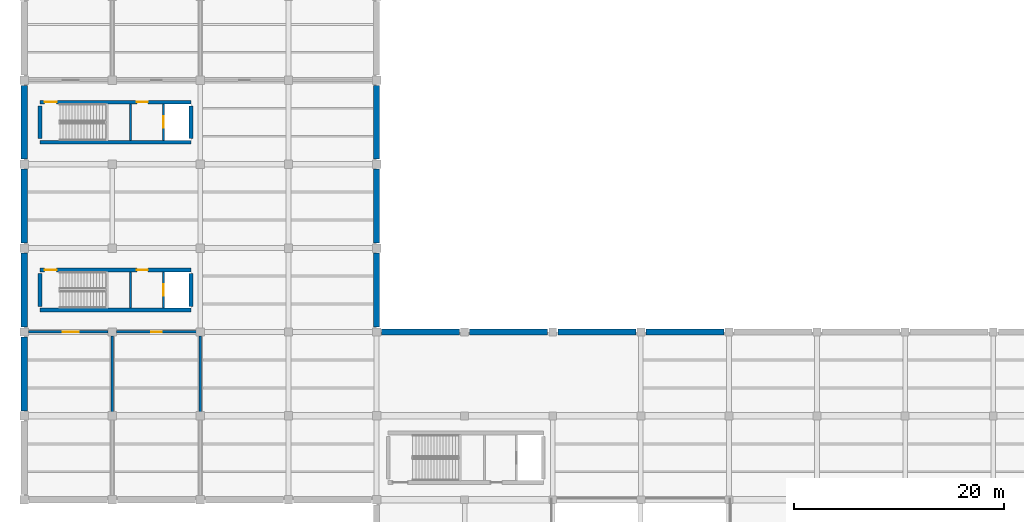
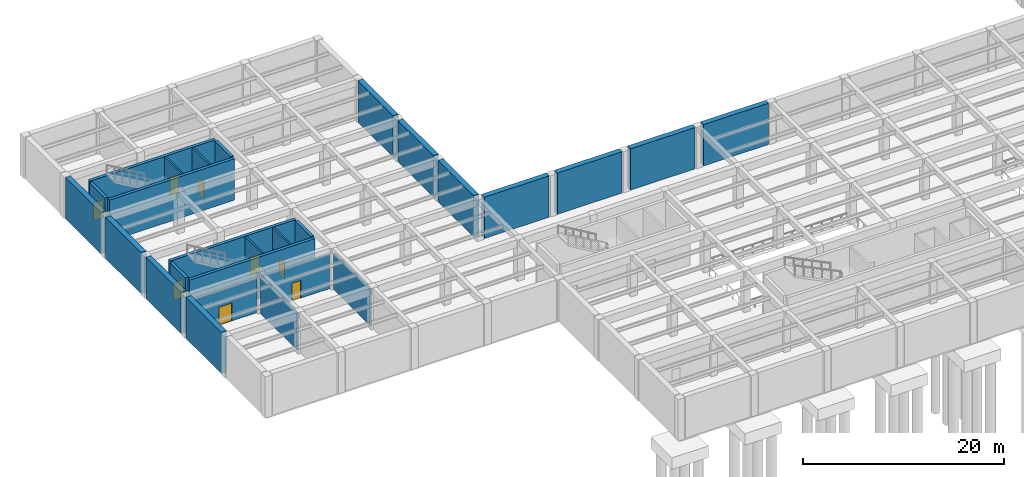
# One storey, part 6 of 16: 27 walls, 8 doors, 8 openings.
"""IFC4 building model written with IfcOpenShell, lengths in metres."""

from ifc_helpers import new_model, si_unit, direction, frame, frame_2d, origin, place, context, subcontext, project, spatial, rectangle, extrude, material, layer, layer_set, type_object, element, fill, save


model = new_model("IFC4")

# Units and contexts
model_context = context("Model", 3, precision=1e-05, world=origin(), true_north=direction((0.0, 1.0)))
body_context = subcontext(model_context, "Body", "Model", "MODEL_VIEW")
ifc_project = project(units=[si_unit("LENGTHUNIT", "METRE"), si_unit("AREAUNIT", "SQUARE_METRE"), si_unit("VOLUMEUNIT", "CUBIC_METRE"), si_unit("PLANEANGLEUNIT", "RADIAN"), si_unit("MASSUNIT", "GRAM", prefix="KILO")], contexts=[model_context])

# Site, building, storey
site_placement = place(None, origin())
site = spatial("IfcSite", under=ifc_project, at=site_placement, CompositionType="ELEMENT")
building_placement = place(site_placement, origin())
building = spatial("IfcBuilding", under=site, at=building_placement, Name="Kranzveld Transit Interchange", CompositionType="ELEMENT")
storey_placement = place(building_placement, frame((0.0, 0.0, -5.43994140625)))
storey = spatial("IfcBuildingStorey", under=building, at=storey_placement, Name="B1", CompositionType="ELEMENT", Elevation=-5.43994140625)

# Wall
ifc_material_1 = material(Name="Concrete C40/50", Category="concrete")
ifc_layer_1 = layer(ifc_material_1, 0.35009765625)
ifc_layer_set_1 = layer_set([ifc_layer_1], Name="Concrete C40/50")
wall_type_1 = type_object("IfcWallType", Name="Core Shear Wall RC 350 C40/50", PredefinedType="SHEAR", material=ifc_layer_set_1)
wall_1_placement = place(storey_placement, frame((1.5, 66.090087890625, 0.0), z_axis=(0.0, 0.0, 1.0), x_axis=(1.0, 0.0, 0.0)))
element("IfcWall", 1, at=wall_1_placement, inside=storey, type_object=wall_type_1, Name="B1 Operations Core C1 Shear Wall S", PredefinedType="SHEAR", context=body_context, shape_type="SweptSolid", body=[
    extrude(rectangle(XDim=14.39990234375, YDim=0.35009765625, at=frame_2d((7.199951171875, 0.0))), origin(), (0.0, 0.0, 1.0), 5.02001953125),
])

# Wall, openings, doors
wall_2_placement = place(storey_placement, frame((1.5, 69.909912109375, 0.0), z_axis=(0.0, 0.0, 1.0), x_axis=(1.0, 0.0, 0.0)))
wall_2 = element("IfcWall", 2, at=wall_2_placement, inside=storey, type_object=wall_type_1, Name="B1 Operations Core C1 Shear Wall N", PredefinedType="SHEAR", context=body_context, shape_type="SweptSolid", body=[
    extrude(rectangle(XDim=14.39990234375, YDim=0.35009765625, at=frame_2d((7.199951171875, 0.0))), origin(), (0.0, 0.0, 1.0), 5.02001953125),
])
opening_1_placement = place(wall_2_placement, frame((0.449951171875, 0.0, 0.0), z_axis=(0.0, 0.0, 1.0), x_axis=(1.0, 0.0, 0.0)))
opening_1 = element("IfcOpeningElement", 3, at=opening_1_placement, cuts=wall_2, Name="Opening D-ST-C1-B1", PredefinedType="OPENING", context=body_context, shape_type="SweptSolid", body=[
    extrude(rectangle(XDim=1.14990234375, YDim=2.14990234375, at=frame_2d((0.574951171875, 1.074951171875))), frame((0.0, 0.18505859375, 0.0), z_axis=(0.0, -1.0, 0.0), x_axis=(1.0, 0.0, 0.0)), (0.0, 0.0, 1.0), 0.3701171875),
])
opening_2_placement = place(wall_2_placement, frame((9.25, 0.0, 0.0), z_axis=(0.0, 0.0, 1.0), x_axis=(1.0, 0.0, 0.0)))
opening_2 = element("IfcOpeningElement", 4, at=opening_2_placement, cuts=wall_2, Name="Opening D-LB-C1-B1", PredefinedType="OPENING", context=body_context, shape_type="SweptSolid", body=[
    extrude(rectangle(XDim=1.050048828125, YDim=2.14990234375, at=frame_2d((0.52490234375, 1.074951171875))), frame((0.0, 0.18505859375, 0.0), z_axis=(0.0, -1.0, 0.0), x_axis=(1.0, 0.0, 0.0)), (0.0, 0.0, 1.0), 0.3701171875),
])
ifc_material_2 = material(Name="Steel S355JR", Category="steel")
door_type_1 = type_object("IfcDoorType", Name="Lift Lobby Fire Door 1050x2150 FD120S", OperationType="NOTDEFINED", PredefinedType="DOOR", material=ifc_material_2)
door_1_placement = place(opening_2_placement, origin())
door_1 = element("IfcDoor", 5, at=door_1_placement, inside=storey, type_object=door_type_1, Name="B1 Operations Core C1 Lift Protected Lobby Door", OperationType="SINGLE_SWING_RIGHT", OverallHeight=2.14990234375, OverallWidth=1.050048828125, PredefinedType="DOOR", context=body_context, shape_type="SweptSolid", body=[
    extrude(rectangle(XDim=1.050048828125, YDim=2.14990234375, at=frame_2d((0.52490234375, 1.074951171875))), frame((0.0, 0.02490234375, 0.0), z_axis=(0.0, -1.0, 0.0), x_axis=(1.0, 0.0, 0.0)), (0.0, 0.0, 1.0), 0.050048828125),
])
fill(opening_2, door_1)
ifc_material_3 = material(Name="Steel S355JR", Category="steel")
door_type_2 = type_object("IfcDoorType", Name="Stair Core Fire Door 1150x2150 FD120S", OperationType="NOTDEFINED", PredefinedType="DOOR", material=ifc_material_3)
door_2_placement = place(opening_1_placement, origin())
door_2 = element("IfcDoor", 6, at=door_2_placement, inside=storey, type_object=door_type_2, Name="B1 ST-C1 Protected Stair Door", OperationType="SINGLE_SWING_RIGHT", OverallHeight=2.14990234375, OverallWidth=1.14990234375, PredefinedType="DOOR", context=body_context, shape_type="SweptSolid", body=[
    extrude(rectangle(XDim=1.14990234375, YDim=2.14990234375, at=frame_2d((0.574951171875, 1.074951171875))), frame((0.0, 0.02490234375, 0.0), z_axis=(0.0, -1.0, 0.0), x_axis=(1.0, 0.0, 0.0)), (0.0, 0.0, 1.0), 0.050048828125),
])
fill(opening_1, door_2)

# Walls
for number, where, z_axis, x_axis, name in (
    (7, (1.5, 66.43994140625, 0.0), (0.0, 0.0, 1.0), (0.0, 1.0, 0.0), "B1 Operations Core C1 Shear Wall W"),
    (8, (15.89990234375, 66.43994140625, 0.0), (0.0, 0.0, 1.0), (0.0, 1.0, 0.0), "B1 Operations Core C1 Shear Wall E"),
):
    element("IfcWall", number, at=place(storey_placement, frame(where, z_axis=z_axis, x_axis=x_axis)), inside=storey, type_object=wall_type_1, Name=name, PredefinedType="SHEAR", context=body_context, shape_type="SweptSolid", body=[
        extrude(rectangle(XDim=3.1201171875, YDim=0.35009765625, at=frame_2d((1.56005859375, 0.0))), origin(), (0.0, 0.0, 1.0), 5.02001953125),
    ])
wall_3_placement = place(storey_placement, frame((1.5, 82.090087890625, 0.0), z_axis=(0.0, 0.0, 1.0), x_axis=(1.0, 0.0, 0.0)))
element("IfcWall", 9, at=wall_3_placement, inside=storey, type_object=wall_type_1, Name="B1 Operations Core C2 Shear Wall S", PredefinedType="SHEAR", context=body_context, shape_type="SweptSolid", body=[
    extrude(rectangle(XDim=14.39990234375, YDim=0.35009765625, at=frame_2d((7.199951171875, 0.0))), origin(), (0.0, 0.0, 1.0), 5.02001953125),
])

# Wall, openings, doors
wall_4_placement = place(storey_placement, frame((1.5, 85.909912109375, 0.0), z_axis=(0.0, 0.0, 1.0), x_axis=(1.0, 0.0, 0.0)))
wall_4 = element("IfcWall", 10, at=wall_4_placement, inside=storey, type_object=wall_type_1, Name="B1 Operations Core C2 Shear Wall N", PredefinedType="SHEAR", context=body_context, shape_type="SweptSolid", body=[
    extrude(rectangle(XDim=14.39990234375, YDim=0.35009765625, at=frame_2d((7.199951171875, 0.0))), origin(), (0.0, 0.0, 1.0), 5.02001953125),
])
opening_3_placement = place(wall_4_placement, frame((0.449951171875, 0.0, 0.0), z_axis=(0.0, 0.0, 1.0), x_axis=(1.0, 0.0, 0.0)))
opening_3 = element("IfcOpeningElement", 11, at=opening_3_placement, cuts=wall_4, Name="Opening D-ST-C2-B1", PredefinedType="OPENING", context=body_context, shape_type="SweptSolid", body=[
    extrude(rectangle(XDim=1.14990234375, YDim=2.14990234375, at=frame_2d((0.574951171875, 1.074951171875))), frame((0.0, 0.18505859375, 0.0), z_axis=(0.0, -1.0, 0.0), x_axis=(1.0, 0.0, 0.0)), (0.0, 0.0, 1.0), 0.3701171875),
])
opening_4_placement = place(wall_4_placement, frame((9.25, 0.0, 0.0), z_axis=(0.0, 0.0, 1.0), x_axis=(1.0, 0.0, 0.0)))
opening_4 = element("IfcOpeningElement", 12, at=opening_4_placement, cuts=wall_4, Name="Opening D-LB-C2-B1", PredefinedType="OPENING", context=body_context, shape_type="SweptSolid", body=[
    extrude(rectangle(XDim=1.050048828125, YDim=2.14990234375, at=frame_2d((0.52490234375, 1.074951171875))), frame((0.0, 0.18505859375, 0.0), z_axis=(0.0, -1.0, 0.0), x_axis=(1.0, 0.0, 0.0)), (0.0, 0.0, 1.0), 0.3701171875),
])
door_3_placement = place(opening_4_placement, origin())
door_3 = element("IfcDoor", 13, at=door_3_placement, inside=storey, type_object=door_type_1, Name="B1 Operations Core C2 Lift Protected Lobby Door", OperationType="SINGLE_SWING_RIGHT", OverallHeight=2.14990234375, OverallWidth=1.050048828125, PredefinedType="DOOR", context=body_context, shape_type="SweptSolid", body=[
    extrude(rectangle(XDim=1.050048828125, YDim=2.14990234375, at=frame_2d((0.52490234375, 1.074951171875))), frame((0.0, 0.02490234375, 0.0), z_axis=(0.0, -1.0, 0.0), x_axis=(1.0, 0.0, 0.0)), (0.0, 0.0, 1.0), 0.050048828125),
])
fill(opening_4, door_3)
door_4_placement = place(opening_3_placement, origin())
door_4 = element("IfcDoor", 14, at=door_4_placement, inside=storey, type_object=door_type_2, Name="B1 ST-C2 Protected Stair Door", OperationType="SINGLE_SWING_RIGHT", OverallHeight=2.14990234375, OverallWidth=1.14990234375, PredefinedType="DOOR", context=body_context, shape_type="SweptSolid", body=[
    extrude(rectangle(XDim=1.14990234375, YDim=2.14990234375, at=frame_2d((0.574951171875, 1.074951171875))), frame((0.0, 0.02490234375, 0.0), z_axis=(0.0, -1.0, 0.0), x_axis=(1.0, 0.0, 0.0)), (0.0, 0.0, 1.0), 0.050048828125),
])
fill(opening_3, door_4)

# Walls
for number, where, z_axis, x_axis, name in (
    (15, (1.5, 82.43994140625, 0.0), (0.0, 0.0, 1.0), (0.0, 1.0, 0.0), "B1 Operations Core C2 Shear Wall W"),
    (16, (15.89990234375, 82.43994140625, 0.0), (0.0, 0.0, 1.0), (0.0, 1.0, 0.0), "B1 Operations Core C2 Shear Wall E"),
):
    element("IfcWall", number, at=place(storey_placement, frame(where, z_axis=z_axis, x_axis=x_axis)), inside=storey, type_object=wall_type_1, Name=name, PredefinedType="SHEAR", context=body_context, shape_type="SweptSolid", body=[
        extrude(rectangle(XDim=3.1201171875, YDim=0.35009765625, at=frame_2d((1.56005859375, 0.0))), origin(), (0.0, 0.0, 1.0), 5.02001953125),
    ])

# Wall, opening, door
ifc_material_4 = material(Name="Clay masonry unit wall, 20 MPa", Category="masonry")
ifc_layer_2 = layer(ifc_material_4, 0.22998046875)
ifc_layer_set_2 = layer_set([ifc_layer_2], Name="Clay masonry unit wall, 20 MPa")
wall_type_2 = type_object("IfcWallType", Name="Fire Compartment Wall Masonry 230 EI120", PredefinedType="PARTITIONING", material=ifc_layer_set_2)
wall_5_placement = place(storey_placement, frame((0.389892578125, 64.0, 0.0), z_axis=(0.0, 0.0, 1.0), x_axis=(1.0, 0.0, 0.0)))
wall_5 = element("IfcWall", 17, at=wall_5_placement, inside=storey, type_object=wall_type_2, Name="B1 Partition IW-B1-B1W1-FRT-B111-0", PredefinedType="PARTITIONING", context=body_context, shape_type="SweptSolid", body=[
    extrude(rectangle(XDim=7.6201171875, YDim=0.22998046875, at=frame_2d((3.81005859375, 0.0))), origin(), (0.0, 0.0, 1.0), 4.169921875),
])
opening_5_placement = place(wall_5_placement, frame((4.81005859375, 0.0, 0.0), z_axis=(0.0, 0.0, 1.0), x_axis=(-1.0, 0.0, 0.0)))
opening_5 = element("IfcOpeningElement", 18, at=opening_5_placement, cuts=wall_5, Name="Opening D-B111", PredefinedType="OPENING", context=body_context, shape_type="SweptSolid", body=[
    extrude(rectangle(XDim=1.5, YDim=2.199951171875, at=frame_2d((0.75, 1.10009765625))), frame((0.0, 0.125, 0.0), z_axis=(0.0, -1.0, 0.0), x_axis=(1.0, 0.0, 0.0)), (0.0, 0.0, 1.0), 0.25),
])
ifc_material_5 = material(Name="Steel S355JR", Category="steel")
door_type_3 = type_object("IfcDoorType", Name="Substation Double Fire Door 1500x2200 FD120S", OperationType="NOTDEFINED", PredefinedType="DOOR", material=ifc_material_5)
door_5_placement = place(opening_5_placement, origin())
door_5 = element("IfcDoor", 19, at=door_5_placement, inside=storey, type_object=door_type_3, Name="B1 Interior Door D-B111", OperationType="SINGLE_SWING_LEFT", OverallHeight=2.199951171875, OverallWidth=1.5, PredefinedType="DOOR", context=body_context, shape_type="SweptSolid", body=[
    extrude(rectangle(XDim=1.5, YDim=2.199951171875, at=frame_2d((0.75, 1.10009765625))), frame((0.0, 0.02490234375, 0.0), z_axis=(0.0, -1.0, 0.0), x_axis=(1.0, 0.0, 0.0)), (0.0, 0.0, 1.0), 0.050048828125),
])
fill(opening_5, door_5)

wall_6_placement = place(storey_placement, frame((8.7900390625, 64.0, 0.0), z_axis=(0.0, 0.0, 1.0), x_axis=(1.0, 0.0, 0.0)))
wall_6 = element("IfcWall", 20, at=wall_6_placement, inside=storey, type_object=wall_type_2, Name="B1 Partition IW-B1-B1W1-FRT-B112-0", PredefinedType="PARTITIONING", context=body_context, shape_type="SweptSolid", body=[
    extrude(rectangle(XDim=7.619873046875, YDim=0.22998046875, at=frame_2d((3.81005859375, 0.0))), origin(), (0.0, 0.0, 1.0), 4.169921875),
])
opening_6_placement = place(wall_6_placement, frame((4.31005859375, 0.0, 0.0), z_axis=(0.0, 0.0, 1.0), x_axis=(-1.0, 0.0, 0.0)))
opening_6 = element("IfcOpeningElement", 21, at=opening_6_placement, cuts=wall_6, Name="Opening D-B112", PredefinedType="OPENING", context=body_context, shape_type="SweptSolid", body=[
    extrude(rectangle(XDim=1.0, YDim=2.14990234375, at=frame_2d((0.5, 1.074951171875))), frame((0.0, 0.125, 0.0), z_axis=(0.0, -1.0, 0.0), x_axis=(1.0, 0.0, 0.0)), (0.0, 0.0, 1.0), 0.25),
])
ifc_material_6 = material(Name="Steel S355JR", Category="steel")
door_type_4 = type_object("IfcDoorType", Name="Fire Door Single 1000x2150 FD120S", OperationType="NOTDEFINED", PredefinedType="DOOR", material=ifc_material_6)
door_6_placement = place(opening_6_placement, origin())
door_6 = element("IfcDoor", 22, at=door_6_placement, inside=storey, type_object=door_type_4, Name="B1 Interior Door D-B112", OperationType="SINGLE_SWING_RIGHT", OverallHeight=2.14990234375, OverallWidth=1.0, PredefinedType="DOOR", context=body_context, shape_type="SweptSolid", body=[
    extrude(rectangle(XDim=1.0, YDim=2.14990234375, at=frame_2d((0.5, 1.074951171875))), frame((0.0, 0.02490234375, 0.0), z_axis=(0.0, -1.0, 0.0), x_axis=(1.0, 0.0, 0.0)), (0.0, 0.0, 1.0), 0.050048828125),
])
fill(opening_6, door_6)

# Walls
for number, where, z_axis, x_axis, name in (
    (23, (8.39990234375, 56.389892578125, 0.0), (0.0, 0.0, 1.0), (0.0, 1.0, 0.0), "B1 Partition IW-B1-B1W1-E-B111-1"),
    (24, (16.800048828125, 56.389892578125, 0.0), (0.0, 0.0, 1.0), (0.0, 1.0, 0.0), "B1 Partition IW-B1-B1W1-E-B112-1"),
):
    element("IfcWall", number, at=place(storey_placement, frame(where, z_axis=z_axis, x_axis=x_axis)), inside=storey, type_object=wall_type_2, Name=name, PredefinedType="PARTITIONING", context=body_context, shape_type="SweptSolid", body=[
        extrude(rectangle(XDim=7.22021484375, YDim=0.22998046875, at=frame_2d((3.610107421875, 0.0))), origin(), (0.0, 0.0, 1.0), 4.369873046875),
    ])
ifc_material_7 = material(Name="Concrete C40/50", Category="concrete")
ifc_layer_3 = layer(ifc_material_7, 0.199951171875)
ifc_layer_set_3 = layer_set([ifc_layer_3], Name="Concrete C40/50")
wall_type_3 = type_object("IfcWallType", Name="Lift Shaft Enclosure Wall RC 200 EI120", PredefinedType="SHEAR", material=ifc_layer_set_3)
wall_7_placement = place(storey_placement, frame((10.14990234375, 66.264892578125, 0.0), z_axis=(0.0, 0.0, 1.0), x_axis=(0.0, 1.0, 0.0)))
element("IfcWall", 25, at=wall_7_placement, inside=storey, type_object=wall_type_3, Name="B1 Operations Core C1 Stair-Lobby Dividing Wall", PredefinedType="SHEAR", context=body_context, shape_type="SweptSolid", body=[
    extrude(rectangle(XDim=3.47021484375, YDim=0.199951171875, at=frame_2d((1.735107421875, 0.0))), origin(), (0.0, 0.0, 1.0), 5.02001953125),
])

# Wall, opening, door
wall_8_placement = place(storey_placement, frame((13.300048828125, 66.264892578125, 0.0), z_axis=(0.0, 0.0, 1.0), x_axis=(0.0, 1.0, 0.0)))
wall_8 = element("IfcWall", 26, at=wall_8_placement, inside=storey, type_object=wall_type_3, Name="B1 LF-C1 Shaft Front Wall", PredefinedType="SHEAR", context=body_context, shape_type="SweptSolid", body=[
    extrude(rectangle(XDim=3.47021484375, YDim=0.199951171875, at=frame_2d((1.735107421875, 0.0))), origin(), (0.0, 0.0, 1.0), 5.02001953125),
])
opening_7_placement = place(wall_8_placement, frame((1.18505859375, 0.0, 0.0), z_axis=(0.0, 0.0, 1.0), x_axis=(1.0, 0.0, 0.0)))
opening_7 = element("IfcOpeningElement", 27, at=opening_7_placement, cuts=wall_8, Name="Opening LD-LF-C1-B1", PredefinedType="OPENING", context=body_context, shape_type="SweptSolid", body=[
    extrude(rectangle(XDim=1.10009765625, YDim=2.14990234375, at=frame_2d((0.550048828125, 1.074951171875))), frame((0.0, 0.10986328125, 0.0), z_axis=(0.0, -1.0, 0.0), x_axis=(1.0, 0.0, 0.0)), (0.0, 0.0, 1.0), 0.219970703125),
])
ifc_material_8 = material(Name="Steel S355JR", Category="steel")
door_type_5 = type_object("IfcDoorType", Name="Lift Landing Sliding Door 1100x2150 FD120S", OperationType="NOTDEFINED", PredefinedType="DOOR", material=ifc_material_8)
door_7_placement = place(opening_7_placement, origin())
door_7 = element("IfcDoor", 28, at=door_7_placement, inside=storey, type_object=door_type_5, Name="B1 LF-C1 Sliding Landing Door", OperationType="DOUBLE_DOOR_SLIDING", OverallHeight=2.14990234375, OverallWidth=1.10009765625, PredefinedType="DOOR", context=body_context, shape_type="SweptSolid", body=[
    extrude(rectangle(XDim=1.10009765625, YDim=2.14990234375, at=frame_2d((0.550048828125, 1.074951171875))), frame((0.0, 0.02490234375, 0.0), z_axis=(0.0, -1.0, 0.0), x_axis=(1.0, 0.0, 0.0)), (0.0, 0.0, 1.0), 0.050048828125),
])
fill(opening_7, door_7)

# Wall
wall_9_placement = place(storey_placement, frame((10.14990234375, 82.264892578125, 0.0), z_axis=(0.0, 0.0, 1.0), x_axis=(0.0, 1.0, 0.0)))
element("IfcWall", 29, at=wall_9_placement, inside=storey, type_object=wall_type_3, Name="B1 Operations Core C2 Stair-Lobby Dividing Wall", PredefinedType="SHEAR", context=body_context, shape_type="SweptSolid", body=[
    extrude(rectangle(XDim=3.47021484375, YDim=0.199951171875, at=frame_2d((1.735107421875, 0.0))), origin(), (0.0, 0.0, 1.0), 5.02001953125),
])

# Wall, opening, door
wall_10_placement = place(storey_placement, frame((13.300048828125, 82.264892578125, 0.0), z_axis=(0.0, 0.0, 1.0), x_axis=(0.0, 1.0, 0.0)))
wall_10 = element("IfcWall", 30, at=wall_10_placement, inside=storey, type_object=wall_type_3, Name="B1 LF-C2 Shaft Front Wall", PredefinedType="SHEAR", context=body_context, shape_type="SweptSolid", body=[
    extrude(rectangle(XDim=3.47021484375, YDim=0.199951171875, at=frame_2d((1.735107421875, 0.0))), origin(), (0.0, 0.0, 1.0), 5.02001953125),
])
opening_8_placement = place(wall_10_placement, frame((1.18505859375, 0.0, 0.0), z_axis=(0.0, 0.0, 1.0), x_axis=(1.0, 0.0, 0.0)))
opening_8 = element("IfcOpeningElement", 31, at=opening_8_placement, cuts=wall_10, Name="Opening LD-LF-C2-B1", PredefinedType="OPENING", context=body_context, shape_type="SweptSolid", body=[
    extrude(rectangle(XDim=1.10009765625, YDim=2.14990234375, at=frame_2d((0.550048828125, 1.074951171875))), frame((0.0, 0.10986328125, 0.0), z_axis=(0.0, -1.0, 0.0), x_axis=(1.0, 0.0, 0.0)), (0.0, 0.0, 1.0), 0.219970703125),
])
door_8_placement = place(opening_8_placement, origin())
door_8 = element("IfcDoor", 32, at=door_8_placement, inside=storey, type_object=door_type_5, Name="B1 LF-C2 Sliding Landing Door", OperationType="DOUBLE_DOOR_SLIDING", OverallHeight=2.14990234375, OverallWidth=1.10009765625, PredefinedType="DOOR", context=body_context, shape_type="SweptSolid", body=[
    extrude(rectangle(XDim=1.10009765625, YDim=2.14990234375, at=frame_2d((0.550048828125, 1.074951171875))), frame((0.0, 0.02490234375, 0.0), z_axis=(0.0, -1.0, 0.0), x_axis=(1.0, 0.0, 0.0)), (0.0, 0.0, 1.0), 0.050048828125),
])
fill(opening_8, door_8)

# Walls
ifc_material_9 = material(Name="Concrete C40/50", Category="concrete")
ifc_layer_4 = layer(ifc_material_9, 0.60009765625)
ifc_layer_set_4 = layer_set([ifc_layer_4], Name="Concrete C40/50")
wall_type_4 = type_object("IfcWallType", Name="Retaining Wall RC 600 C40/50", PredefinedType="SOLIDWALL", material=ifc_layer_set_4)
for number, where, z_axis, x_axis, name in (
    (33, (0.0, 56.47998046875, 0.0), (0.0, 0.0, 1.0), (0.0, 1.0, 0.0), "B1 Perimeter Retaining Wall 20"),
    (34, (0.0, 64.47998046875, 0.0), (0.0, 0.0, 1.0), (0.0, 1.0, 0.0), "B1 Perimeter Retaining Wall 21"),
    (35, (0.0, 72.47998046875, 0.0), (0.0, 0.0, 1.0), (0.0, 1.0, 0.0), "B1 Perimeter Retaining Wall 22"),
    (36, (0.0, 80.47998046875, 0.0), (0.0, 0.0, 1.0), (0.0, 1.0, 0.0), "B1 Perimeter Retaining Wall 23"),
    (37, (33.60009765625, 64.47998046875, 0.0), (0.0, 0.0, 1.0), (0.0, 1.0, 0.0), "B1 Perimeter Retaining Wall 29"),
    (38, (33.60009765625, 72.47998046875, 0.0), (0.0, 0.0, 1.0), (0.0, 1.0, 0.0), "B1 Perimeter Retaining Wall 30"),
    (39, (33.60009765625, 80.47998046875, 0.0), (0.0, 0.0, 1.0), (0.0, 1.0, 0.0), "B1 Perimeter Retaining Wall 31"),
):
    element("IfcWall", number, at=place(storey_placement, frame(where, z_axis=z_axis, x_axis=x_axis)), inside=storey, type_object=wall_type_4, Name=name, PredefinedType="SOLIDWALL", context=body_context, shape_type="SweptSolid", body=[
        extrude(rectangle(XDim=7.0400390625, YDim=0.60009765625, at=frame_2d((3.52001953125, 0.0))), origin(), (0.0, 0.0, 1.0), 5.02001953125),
    ])
for number, where, z_axis, x_axis, name in (
    (40, (34.080078125, 64.0, 0.0), (0.0, 0.0, 1.0), (1.0, 0.0, 0.0), "B1 Perimeter Retaining Wall 33"),
    (41, (42.47998046875, 64.0, 0.0), (0.0, 0.0, 1.0), (1.0, 0.0, 0.0), "B1 Perimeter Retaining Wall 34"),
):
    element("IfcWall", number, at=place(storey_placement, frame(where, z_axis=z_axis, x_axis=x_axis)), inside=storey, type_object=wall_type_4, Name=name, PredefinedType="SOLIDWALL", context=body_context, shape_type="SweptSolid", body=[
        extrude(rectangle(XDim=7.43994140625, YDim=0.60009765625, at=frame_2d((3.719970703125, 0.0))), origin(), (0.0, 0.0, 1.0), 5.02001953125),
    ])
wall_11_placement = place(storey_placement, frame((50.8798828125, 64.0, 0.0), z_axis=(0.0, 0.0, 1.0), x_axis=(1.0, 0.0, 0.0)))
element("IfcWall", 42, at=wall_11_placement, inside=storey, type_object=wall_type_4, Name="B1 Perimeter Retaining Wall 35", PredefinedType="SOLIDWALL", context=body_context, shape_type="SweptSolid", body=[
    extrude(rectangle(XDim=7.440185546875, YDim=0.60009765625, at=frame_2d((3.72021484375, 0.0))), origin(), (0.0, 0.0, 1.0), 5.02001953125),
])
wall_12_placement = place(storey_placement, frame((59.280029296875, 64.0, 0.0), z_axis=(0.0, 0.0, 1.0), x_axis=(1.0, 0.0, 0.0)))
element("IfcWall", 43, at=wall_12_placement, inside=storey, type_object=wall_type_4, Name="B1 Perimeter Retaining Wall 36", PredefinedType="SOLIDWALL", context=body_context, shape_type="SweptSolid", body=[
    extrude(rectangle(XDim=7.43994140625, YDim=0.60009765625, at=frame_2d((3.719970703125, 0.0))), origin(), (0.0, 0.0, 1.0), 5.02001953125),
])

save(model, "model.ifc")
